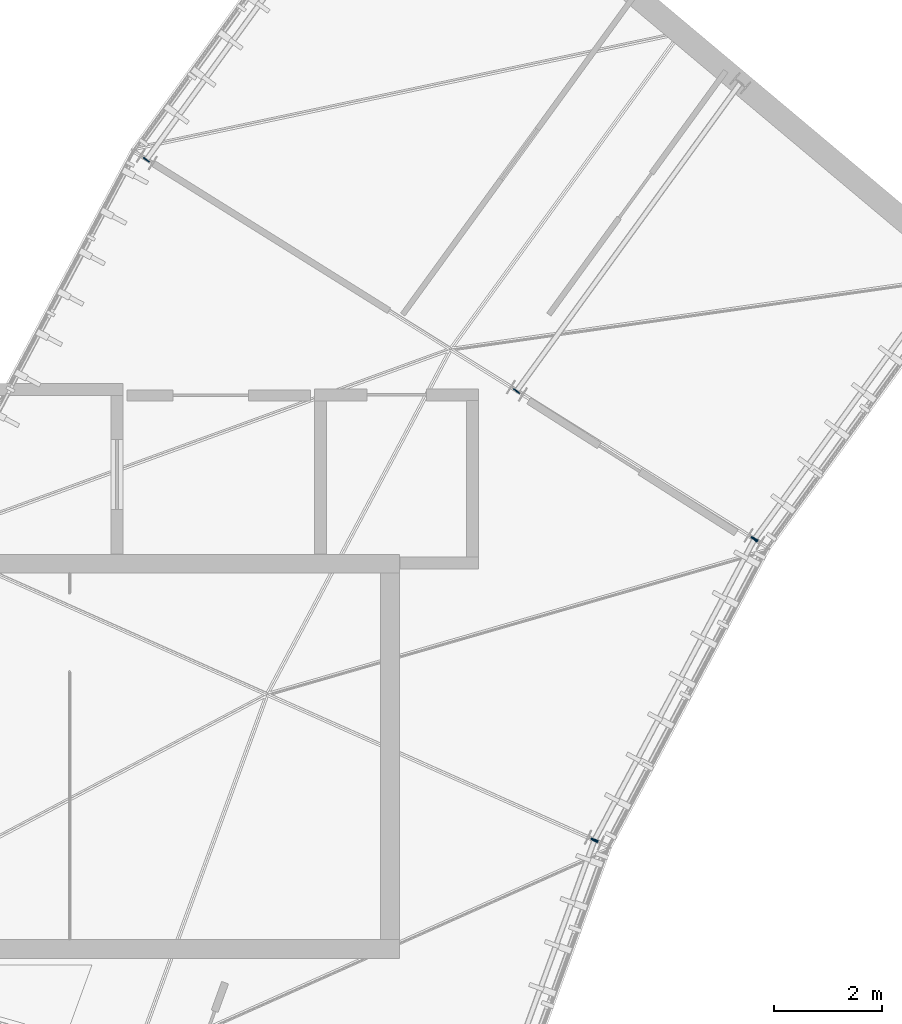
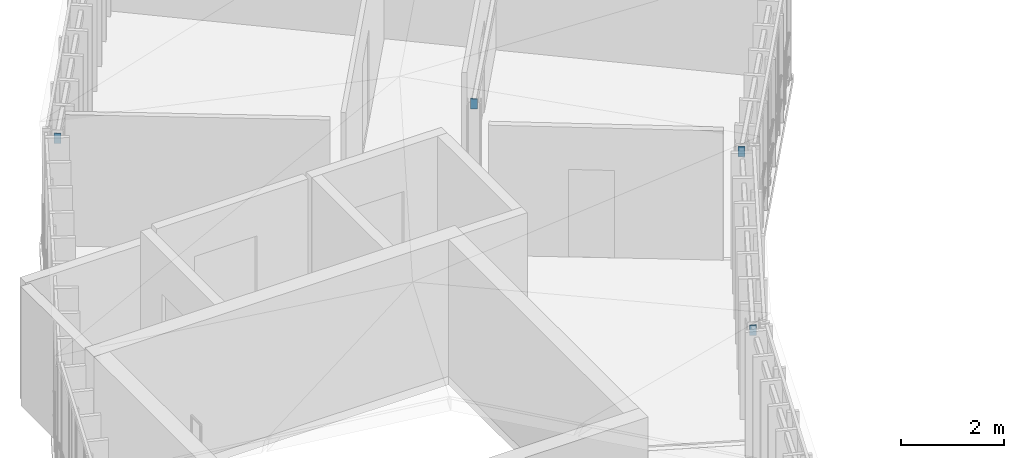
# One storey, part 12 of 18: 6 plates.
"""IFC4 building model written with IfcOpenShell, lengths in metres."""

from ifc_helpers import new_model, si_unit, direction, frame, origin, origin_2d, place, context, subcontext, project, spatial, rectangle, extrude, material, layer, layer_set, type_object, element, save


model = new_model("IFC4")

# Units and contexts
model_context = context("Model", 3, precision=1e-05, world=origin(), true_north=direction((0.0, 1.0)))
body_context = subcontext(model_context, "Body", "Model", "MODEL_VIEW")
ifc_project = project(units=[si_unit("LENGTHUNIT", "METRE"), si_unit("AREAUNIT", "SQUARE_METRE"), si_unit("VOLUMEUNIT", "CUBIC_METRE"), si_unit("PLANEANGLEUNIT", "RADIAN"), si_unit("MASSUNIT", "GRAM", prefix="KILO"), si_unit("THERMODYNAMICTEMPERATUREUNIT", "KELVIN"), si_unit("POWERUNIT", "WATT")], contexts=[model_context])

# Site, building, storey
site_placement = place(None, origin())
site = spatial("IfcSite", under=ifc_project, at=site_placement, CompositionType="ELEMENT")
building_placement = place(site_placement, origin())
building = spatial("IfcBuilding", under=site, at=building_placement, Name="Solvatero Civic Police Headquarters", CompositionType="ELEMENT")
storey_placement = place(building_placement, frame((0.0, 0.0, 29.39990234375)))
storey = spatial("IfcBuildingStorey", under=building, at=storey_placement, Name="L07", CompositionType="ELEMENT", Elevation=29.39990234375)

# Plates
ifc_material = material(Name="Steel S355", Category="steel")
ifc_layer = layer(ifc_material, 0.02001953125)
ifc_layer_set = layer_set([ifc_layer], Name="Steel S355")
plate_type = type_object("IfcPlateType", Name="PLT-CAP-20", PredefinedType="SHEET", material=ifc_layer_set)
for number, where, z_axis, x_axis, name in (
    (1, (55.53515625, 50.023681640625, 2.39990234375), (0.0, 0.0, 1.0), (-0.587785252292, -0.809016994375, 0.0), "Hollow Section End Cap Plate 0214"),
    (2, (51.125244140625, 52.779296875, 3.4150390625), (0.0, 0.0, 1.0), (-0.587785252292, -0.809016994375, 0.0), "Hollow Section End Cap Plate 0216"),
    (3, (44.256103515625, 57.07177734375, 2.39990234375), (0.0, 0.0, 1.0), (-0.587785252292, -0.809016994375, 0.0), "Hollow Section End Cap Plate 0218"),
    (4, (55.545654296875, 50.04052734375, 2.39990234375), (0.0, 0.0, 1.0), (-0.469471562786, -0.882947592859, 0.0), "Hollow Section End Cap Plate 0219"),
    (5, (52.56591796875, 44.436767578125, 2.60009765625), (0.0, 0.0, 1.0), (-0.469471562786, -0.882947592859, 0.0), "Hollow Section End Cap Plate 0220"),
    (6, (52.57421875, 44.454833984375, 2.60009765625), (0.0, 0.0, 1.0), (-0.342020143326, -0.939692620786, 0.0), "Hollow Section End Cap Plate 0221"),
):
    element("IfcPlate", number, at=place(storey_placement, frame(where, z_axis=z_axis, x_axis=x_axis)), inside=storey, type_object=plate_type, Name=name, PredefinedType="SHEET", context=body_context, shape_type="SweptSolid", body=[
        extrude(rectangle(XDim=0.02001953125, YDim=0.139892578125, at=origin_2d()), origin(), (0.0, 0.0, 1.0), 0.239990234375),
    ])

save(model, "model.ifc")
